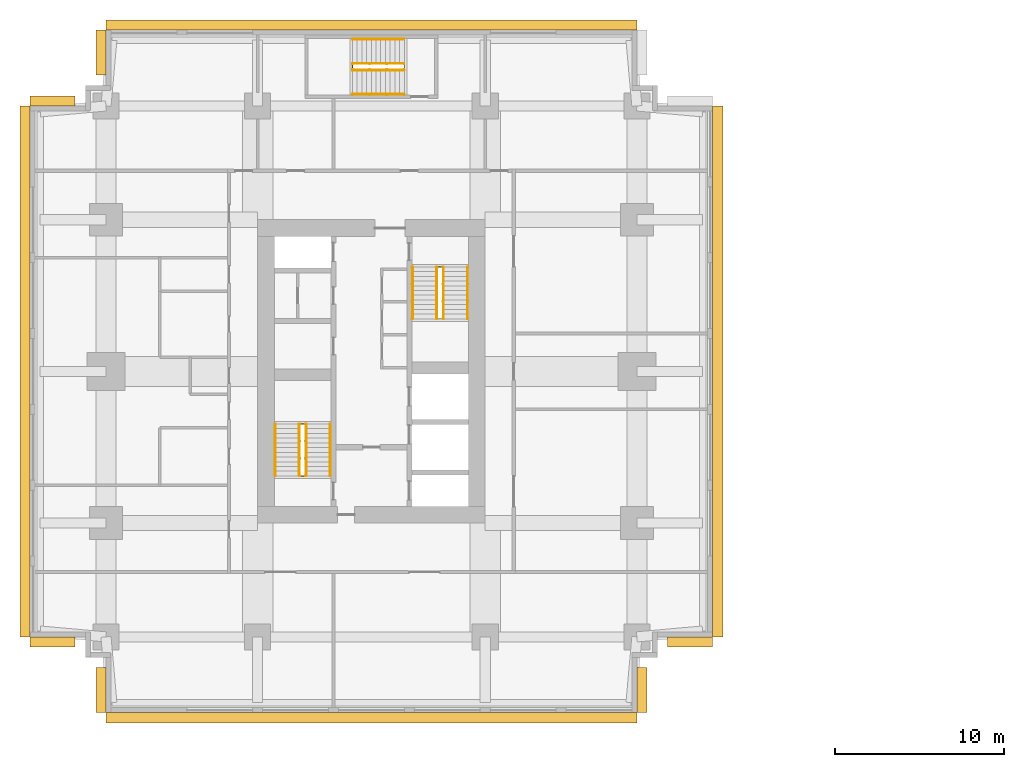
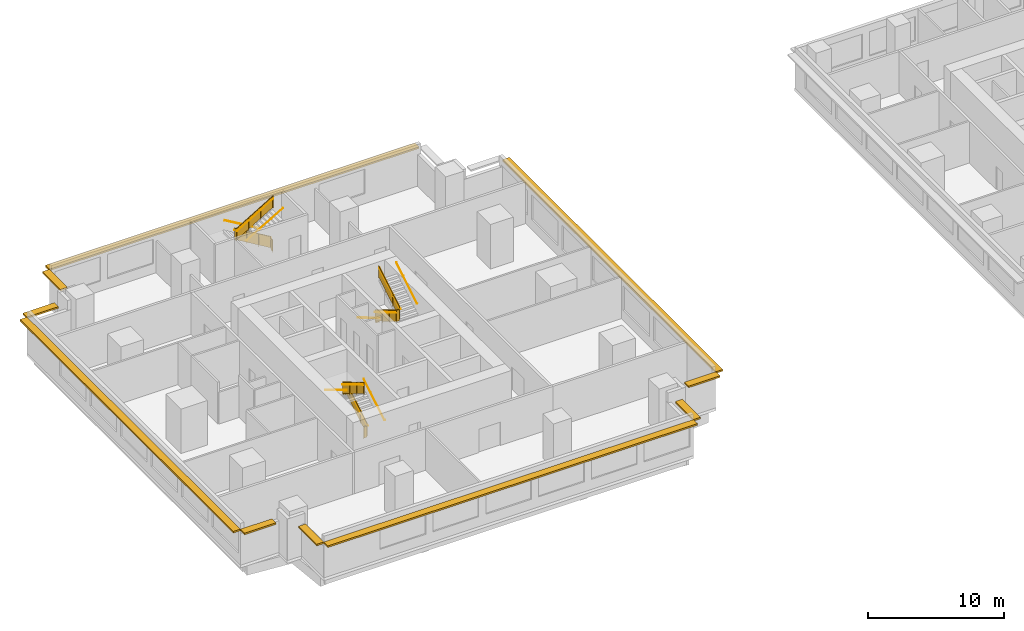
# One storey, part 10 of 11: 15 railings, 10 shading devices.
"""IFC4 building model written with IfcOpenShell, lengths in metres."""

from ifc_helpers import new_model, si_unit, direction, frame, origin, origin_2d, place, context, subcontext, project, spatial, polyline, rectangle, circle, outline, extrude, material, layer, layer_set, type_object, element, save


model = new_model("IFC4")

# Units and contexts
model_context = context("Model", 3, precision=1e-05, world=origin(), true_north=direction((0.0, 1.0)))
body_context = subcontext(model_context, "Body", "Model", "MODEL_VIEW")
ifc_project = project(units=[si_unit("LENGTHUNIT", "METRE"), si_unit("AREAUNIT", "SQUARE_METRE"), si_unit("VOLUMEUNIT", "CUBIC_METRE"), si_unit("PLANEANGLEUNIT", "RADIAN"), si_unit("MASSUNIT", "GRAM", prefix="KILO")], contexts=[model_context])

# Site, building, storey
site_placement = place(None, origin())
site = spatial("IfcSite", under=ifc_project, at=site_placement, CompositionType="ELEMENT")
building_placement = place(site_placement, origin())
building = spatial("IfcBuilding", under=site, at=building_placement, Name="Namib Vertical Campus", CompositionType="ELEMENT")
storey_placement = place(building_placement, frame((0.0, 0.0, 217.0)))
storey = spatial("IfcBuildingStorey", under=building, at=storey_placement, Name="L51", CompositionType="ELEMENT", Elevation=217.0)

# Railings
ifc_material_1 = material(Name="Steel handrail", Category="steel")
railing_type_1 = type_object("IfcRailingType", Name="Handrail 900", PredefinedType="HANDRAIL", material=ifc_material_1)
railing_1_placement = place(storey_placement, frame((17.800048828125, 14.050048828125, 0.166748046875)))
element("IfcRailing", 1, at=railing_1_placement, inside=storey, type_object=railing_type_1, Name="Handrail HR1 A-S1 L51 1", PredefinedType="HANDRAIL", context=body_context, shape_type="SweptSolid", body=[
    extrude(circle(Radius=0.02392578125, at=origin_2d()), frame((0.0, 0.0, 0.8759765625), z_axis=(0.0, 0.859290745958, 0.51148745235), x_axis=(-1.0, 0.0, 0.0)), (0.0, 0.0, 1.0), 3.584228515625),
    extrude(circle(Radius=0.008056640625, at=origin_2d()), frame((0.0, 0.0, 0.8759765625), z_axis=(1.0, 0.0, 0.0), x_axis=(0.0, 0.0, 1.0)), (0.0, 0.0, 1.0), 0.050048828125),
    extrude(circle(Radius=0.008056640625, at=origin_2d()), frame((0.0, 1.026611328125, 1.48681640625), z_axis=(1.0, 0.0, 0.0), x_axis=(0.0, 0.0, 1.0)), (0.0, 0.0, 1.0), 0.050048828125),
    extrude(circle(Radius=0.008056640625, at=origin_2d()), frame((0.0, 2.05322265625, 2.09814453125), z_axis=(1.0, 0.0, 0.0), x_axis=(0.0, 0.0, 1.0)), (0.0, 0.0, 1.0), 0.050048828125),
    extrude(circle(Radius=0.008056640625, at=origin_2d()), frame((0.0, 3.079833984375, 2.708984375), z_axis=(1.0, 0.0, 0.0), x_axis=(0.0, 0.0, 1.0)), (0.0, 0.0, 1.0), 0.050048828125),
])
railing_2_placement = place(storey_placement, frame((14.550048828125, 17.1298828125, 2.166748046875)))
element("IfcRailing", 2, at=railing_2_placement, inside=storey, type_object=railing_type_1, Name="Handrail HR1 A-S1 L51 2", PredefinedType="HANDRAIL", context=body_context, shape_type="SweptSolid", body=[
    extrude(circle(Radius=0.02392578125, at=origin_2d()), frame((0.0, 0.0, 0.8759765625), z_axis=(0.0, -0.859290745958, 0.51148745235), x_axis=(1.0, 0.0, 0.0)), (0.0, 0.0, 1.0), 3.584228515625),
    extrude(circle(Radius=0.008056640625, at=origin_2d()), frame((0.0, 0.0, 0.8759765625), z_axis=(-1.0, 0.0, 0.0), x_axis=(0.0, 0.0, 1.0)), (0.0, 0.0, 1.0), 0.050048828125),
    extrude(circle(Radius=0.008056640625, at=origin_2d()), frame((0.0, -1.026611328125, 1.48681640625), z_axis=(-1.0, 0.0, 0.0), x_axis=(0.0, 0.0, 1.0)), (0.0, 0.0, 1.0), 0.050048828125),
    extrude(circle(Radius=0.008056640625, at=origin_2d()), frame((0.0, -2.05322265625, 2.09814453125), z_axis=(-1.0, 0.0, 0.0), x_axis=(0.0, 0.0, 1.0)), (0.0, 0.0, 1.0), 0.050048828125),
    extrude(circle(Radius=0.008056640625, at=origin_2d()), frame((0.0, -3.079833984375, 2.708984375), z_axis=(-1.0, 0.0, 0.0), x_axis=(0.0, 0.0, 1.0)), (0.0, 0.0, 1.0), 0.050048828125),
])
railing_3_placement = place(storey_placement, frame((16.375, 14.050048828125, 0.166748046875)))
element("IfcRailing", 3, at=railing_3_placement, inside=storey, type_object=railing_type_1, Name="Handrail HR1 A-S1 L51 1 at the well", PredefinedType="HANDRAIL", context=body_context, shape_type="SweptSolid", body=[
    extrude(circle(Radius=0.02392578125, at=origin_2d()), frame((0.0, 0.0, 0.8759765625), z_axis=(0.0, 0.859290745958, 0.51148745235), x_axis=(-1.0, 0.0, 0.0)), (0.0, 0.0, 1.0), 3.584228515625),
    extrude(circle(Radius=0.008056640625, at=origin_2d()), frame((0.0, 0.0, 0.8759765625), z_axis=(-1.0, 0.0, 0.0), x_axis=(0.0, 0.0, 1.0)), (0.0, 0.0, 1.0), 0.0400390625),
    extrude(circle(Radius=0.008056640625, at=origin_2d()), frame((0.0, 1.026611328125, 1.48681640625), z_axis=(-1.0, 0.0, 0.0), x_axis=(0.0, 0.0, 1.0)), (0.0, 0.0, 1.0), 0.0400390625),
    extrude(circle(Radius=0.008056640625, at=origin_2d()), frame((0.0, 2.05322265625, 2.09814453125), z_axis=(-1.0, 0.0, 0.0), x_axis=(0.0, 0.0, 1.0)), (0.0, 0.0, 1.0), 0.0400390625),
    extrude(circle(Radius=0.008056640625, at=origin_2d()), frame((0.0, 3.079833984375, 2.708984375), z_axis=(-1.0, 0.0, 0.0), x_axis=(0.0, 0.0, 1.0)), (0.0, 0.0, 1.0), 0.0400390625),
])
railing_4_placement = place(storey_placement, frame((15.97509765625, 17.1298828125, 2.166748046875)))
element("IfcRailing", 4, at=railing_4_placement, inside=storey, type_object=railing_type_1, Name="Handrail HR1 A-S1 L51 2 at the well", PredefinedType="HANDRAIL", context=body_context, shape_type="SweptSolid", body=[
    extrude(circle(Radius=0.02392578125, at=origin_2d()), frame((0.0, 0.0, 0.8759765625), z_axis=(0.0, -0.859290745958, 0.51148745235), x_axis=(1.0, 0.0, 0.0)), (0.0, 0.0, 1.0), 3.584228515625),
    extrude(circle(Radius=0.008056640625, at=origin_2d()), frame((0.0, 0.0, 0.8759765625), z_axis=(1.0, 0.0, 0.0), x_axis=(0.0, 0.0, 1.0)), (0.0, 0.0, 1.0), 0.0400390625),
    extrude(circle(Radius=0.008056640625, at=origin_2d()), frame((0.0, -1.026611328125, 1.48681640625), z_axis=(1.0, 0.0, 0.0), x_axis=(0.0, 0.0, 1.0)), (0.0, 0.0, 1.0), 0.0400390625),
    extrude(circle(Radius=0.008056640625, at=origin_2d()), frame((0.0, -2.05322265625, 2.09814453125), z_axis=(1.0, 0.0, 0.0), x_axis=(0.0, 0.0, 1.0)), (0.0, 0.0, 1.0), 0.0400390625),
    extrude(circle(Radius=0.008056640625, at=origin_2d()), frame((0.0, -3.079833984375, 2.708984375), z_axis=(1.0, 0.0, 0.0), x_axis=(0.0, 0.0, 1.0)), (0.0, 0.0, 1.0), 0.0400390625),
])
railing_5_placement = place(storey_placement, frame((22.699951171875, 26.449951171875, 0.166748046875)))
element("IfcRailing", 5, at=railing_5_placement, inside=storey, type_object=railing_type_1, Name="Handrail HR1 A-S2 L51 1", PredefinedType="HANDRAIL", context=body_context, shape_type="SweptSolid", body=[
    extrude(circle(Radius=0.02392578125, at=origin_2d()), frame((0.0, 0.0, 0.8759765625), z_axis=(0.0, -0.859290745958, 0.51148745235), x_axis=(1.0, 0.0, 0.0)), (0.0, 0.0, 1.0), 3.584228515625),
    extrude(circle(Radius=0.008056640625, at=origin_2d()), frame((0.0, 0.0, 0.8759765625), z_axis=(-1.0, 0.0, 0.0), x_axis=(0.0, 0.0, 1.0)), (0.0, 0.0, 1.0), 0.050048828125),
    extrude(circle(Radius=0.008056640625, at=origin_2d()), frame((0.0, -1.026611328125, 1.48681640625), z_axis=(-1.0, 0.0, 0.0), x_axis=(0.0, 0.0, 1.0)), (0.0, 0.0, 1.0), 0.050048828125),
    extrude(circle(Radius=0.008056640625, at=origin_2d()), frame((0.0, -2.05322265625, 2.09814453125), z_axis=(-1.0, 0.0, 0.0), x_axis=(0.0, 0.0, 1.0)), (0.0, 0.0, 1.0), 0.050048828125),
    extrude(circle(Radius=0.008056640625, at=origin_2d()), frame((0.0, -3.079833984375, 2.708984375), z_axis=(-1.0, 0.0, 0.0), x_axis=(0.0, 0.0, 1.0)), (0.0, 0.0, 1.0), 0.050048828125),
])
railing_6_placement = place(storey_placement, frame((25.949951171875, 23.3701171875, 2.166748046875)))
element("IfcRailing", 6, at=railing_6_placement, inside=storey, type_object=railing_type_1, Name="Handrail HR1 A-S2 L51 2", PredefinedType="HANDRAIL", context=body_context, shape_type="SweptSolid", body=[
    extrude(circle(Radius=0.02392578125, at=origin_2d()), frame((0.0, 0.0, 0.8759765625), z_axis=(0.0, 0.859290745958, 0.51148745235), x_axis=(-1.0, 0.0, 0.0)), (0.0, 0.0, 1.0), 3.584228515625),
    extrude(circle(Radius=0.008056640625, at=origin_2d()), frame((0.0, 0.0, 0.8759765625), z_axis=(1.0, 0.0, 0.0), x_axis=(0.0, 0.0, 1.0)), (0.0, 0.0, 1.0), 0.050048828125),
    extrude(circle(Radius=0.008056640625, at=origin_2d()), frame((0.0, 1.026611328125, 1.48681640625), z_axis=(1.0, 0.0, 0.0), x_axis=(0.0, 0.0, 1.0)), (0.0, 0.0, 1.0), 0.050048828125),
    extrude(circle(Radius=0.008056640625, at=origin_2d()), frame((0.0, 2.05322265625, 2.09814453125), z_axis=(1.0, 0.0, 0.0), x_axis=(0.0, 0.0, 1.0)), (0.0, 0.0, 1.0), 0.050048828125),
    extrude(circle(Radius=0.008056640625, at=origin_2d()), frame((0.0, 3.079833984375, 2.708984375), z_axis=(1.0, 0.0, 0.0), x_axis=(0.0, 0.0, 1.0)), (0.0, 0.0, 1.0), 0.050048828125),
])
railing_7_placement = place(storey_placement, frame((24.125, 26.449951171875, 0.166748046875)))
element("IfcRailing", 7, at=railing_7_placement, inside=storey, type_object=railing_type_1, Name="Handrail HR1 A-S2 L51 1 at the well", PredefinedType="HANDRAIL", context=body_context, shape_type="SweptSolid", body=[
    extrude(circle(Radius=0.02392578125, at=origin_2d()), frame((0.0, 0.0, 0.8759765625), z_axis=(0.0, -0.859290745958, 0.51148745235), x_axis=(1.0, 0.0, 0.0)), (0.0, 0.0, 1.0), 3.584228515625),
    extrude(circle(Radius=0.008056640625, at=origin_2d()), frame((0.0, 0.0, 0.8759765625), z_axis=(1.0, 0.0, 0.0), x_axis=(0.0, 0.0, 1.0)), (0.0, 0.0, 1.0), 0.0400390625),
    extrude(circle(Radius=0.008056640625, at=origin_2d()), frame((0.0, -1.026611328125, 1.48681640625), z_axis=(1.0, 0.0, 0.0), x_axis=(0.0, 0.0, 1.0)), (0.0, 0.0, 1.0), 0.0400390625),
    extrude(circle(Radius=0.008056640625, at=origin_2d()), frame((0.0, -2.05322265625, 2.09814453125), z_axis=(1.0, 0.0, 0.0), x_axis=(0.0, 0.0, 1.0)), (0.0, 0.0, 1.0), 0.0400390625),
    extrude(circle(Radius=0.008056640625, at=origin_2d()), frame((0.0, -3.079833984375, 2.708984375), z_axis=(1.0, 0.0, 0.0), x_axis=(0.0, 0.0, 1.0)), (0.0, 0.0, 1.0), 0.0400390625),
])
railing_8_placement = place(storey_placement, frame((24.52490234375, 23.3701171875, 2.166748046875)))
element("IfcRailing", 8, at=railing_8_placement, inside=storey, type_object=railing_type_1, Name="Handrail HR1 A-S2 L51 2 at the well", PredefinedType="HANDRAIL", context=body_context, shape_type="SweptSolid", body=[
    extrude(circle(Radius=0.02392578125, at=origin_2d()), frame((0.0, 0.0, 0.8759765625), z_axis=(0.0, 0.859290745958, 0.51148745235), x_axis=(-1.0, 0.0, 0.0)), (0.0, 0.0, 1.0), 3.584228515625),
    extrude(circle(Radius=0.008056640625, at=origin_2d()), frame((0.0, 0.0, 0.8759765625), z_axis=(-1.0, 0.0, 0.0), x_axis=(0.0, 0.0, 1.0)), (0.0, 0.0, 1.0), 0.0400390625),
    extrude(circle(Radius=0.008056640625, at=origin_2d()), frame((0.0, 1.026611328125, 1.48681640625), z_axis=(-1.0, 0.0, 0.0), x_axis=(0.0, 0.0, 1.0)), (0.0, 0.0, 1.0), 0.0400390625),
    extrude(circle(Radius=0.008056640625, at=origin_2d()), frame((0.0, 2.05322265625, 2.09814453125), z_axis=(-1.0, 0.0, 0.0), x_axis=(0.0, 0.0, 1.0)), (0.0, 0.0, 1.0), 0.0400390625),
    extrude(circle(Radius=0.008056640625, at=origin_2d()), frame((0.0, 3.079833984375, 2.708984375), z_axis=(-1.0, 0.0, 0.0), x_axis=(0.0, 0.0, 1.0)), (0.0, 0.0, 1.0), 0.0400390625),
])
railing_9_placement = place(storey_placement, frame((22.199951171875, 39.949951171875, 0.166748046875)))
element("IfcRailing", 9, at=railing_9_placement, inside=storey, type_object=railing_type_1, Name="Handrail HR1 A-S3 L51 1", PredefinedType="HANDRAIL", context=body_context, shape_type="SweptSolid", body=[
    extrude(circle(Radius=0.02392578125, at=origin_2d()), frame((0.0, 0.0, 0.8759765625), z_axis=(-0.859290745958, 0.0, 0.51148745235), x_axis=(0.0, -1.0, 0.0)), (0.0, 0.0, 1.0), 3.584228515625),
    extrude(circle(Radius=0.008056640625, at=origin_2d()), frame((0.0, 0.0, 0.8759765625), z_axis=(0.0, 1.0, 0.0), x_axis=(0.0, 0.0, 1.0)), (0.0, 0.0, 1.0), 0.050048828125),
    extrude(circle(Radius=0.008056640625, at=origin_2d()), frame((-1.026611328125, 0.0, 1.48681640625), z_axis=(0.0, 1.0, 0.0), x_axis=(0.0, 0.0, 1.0)), (0.0, 0.0, 1.0), 0.050048828125),
    extrude(circle(Radius=0.008056640625, at=origin_2d()), frame((-2.05322265625, 0.0, 2.09814453125), z_axis=(0.0, 1.0, 0.0), x_axis=(0.0, 0.0, 1.0)), (0.0, 0.0, 1.0), 0.050048828125),
    extrude(circle(Radius=0.008056640625, at=origin_2d()), frame((-3.079833984375, 0.0, 2.708984375), z_axis=(0.0, 1.0, 0.0), x_axis=(0.0, 0.0, 1.0)), (0.0, 0.0, 1.0), 0.050048828125),
])
railing_10_placement = place(storey_placement, frame((19.1201171875, 36.699951171875, 2.166748046875)))
element("IfcRailing", 10, at=railing_10_placement, inside=storey, type_object=railing_type_1, Name="Handrail HR1 A-S3 L51 2", PredefinedType="HANDRAIL", context=body_context, shape_type="SweptSolid", body=[
    extrude(circle(Radius=0.02392578125, at=origin_2d()), frame((0.0, 0.0, 0.8759765625), z_axis=(0.859290745958, 0.0, 0.51148745235), x_axis=(0.0, 1.0, 0.0)), (0.0, 0.0, 1.0), 3.584228515625),
    extrude(circle(Radius=0.008056640625, at=origin_2d()), frame((0.0, 0.0, 0.8759765625), z_axis=(0.0, -1.0, 0.0), x_axis=(0.0, 0.0, 1.0)), (0.0, 0.0, 1.0), 0.050048828125),
    extrude(circle(Radius=0.008056640625, at=origin_2d()), frame((1.026611328125, 0.0, 1.48681640625), z_axis=(0.0, -1.0, 0.0), x_axis=(0.0, 0.0, 1.0)), (0.0, 0.0, 1.0), 0.050048828125),
    extrude(circle(Radius=0.008056640625, at=origin_2d()), frame((2.05322265625, 0.0, 2.09814453125), z_axis=(0.0, -1.0, 0.0), x_axis=(0.0, 0.0, 1.0)), (0.0, 0.0, 1.0), 0.050048828125),
    extrude(circle(Radius=0.008056640625, at=origin_2d()), frame((3.079833984375, 0.0, 2.708984375), z_axis=(0.0, -1.0, 0.0), x_axis=(0.0, 0.0, 1.0)), (0.0, 0.0, 1.0), 0.050048828125),
])
railing_11_placement = place(storey_placement, frame((22.199951171875, 38.52490234375, 0.166748046875)))
element("IfcRailing", 11, at=railing_11_placement, inside=storey, type_object=railing_type_1, Name="Handrail HR1 A-S3 L51 1 at the well", PredefinedType="HANDRAIL", context=body_context, shape_type="SweptSolid", body=[
    extrude(circle(Radius=0.02392578125, at=origin_2d()), frame((0.0, 0.0, 0.8759765625), z_axis=(-0.859290745958, 0.0, 0.51148745235), x_axis=(0.0, -1.0, 0.0)), (0.0, 0.0, 1.0), 3.584228515625),
    extrude(circle(Radius=0.008056640625, at=origin_2d()), frame((0.0, 0.0, 0.8759765625), z_axis=(0.0, -1.0, 0.0), x_axis=(0.0, 0.0, 1.0)), (0.0, 0.0, 1.0), 0.0400390625),
    extrude(circle(Radius=0.008056640625, at=origin_2d()), frame((-1.026611328125, 0.0, 1.48681640625), z_axis=(0.0, -1.0, 0.0), x_axis=(0.0, 0.0, 1.0)), (0.0, 0.0, 1.0), 0.0400390625),
    extrude(circle(Radius=0.008056640625, at=origin_2d()), frame((-2.05322265625, 0.0, 2.09814453125), z_axis=(0.0, -1.0, 0.0), x_axis=(0.0, 0.0, 1.0)), (0.0, 0.0, 1.0), 0.0400390625),
    extrude(circle(Radius=0.008056640625, at=origin_2d()), frame((-3.079833984375, 0.0, 2.708984375), z_axis=(0.0, -1.0, 0.0), x_axis=(0.0, 0.0, 1.0)), (0.0, 0.0, 1.0), 0.0400390625),
])
railing_12_placement = place(storey_placement, frame((19.1201171875, 38.125, 2.166748046875)))
element("IfcRailing", 12, at=railing_12_placement, inside=storey, type_object=railing_type_1, Name="Handrail HR1 A-S3 L51 2 at the well", PredefinedType="HANDRAIL", context=body_context, shape_type="SweptSolid", body=[
    extrude(circle(Radius=0.02392578125, at=origin_2d()), frame((0.0, 0.0, 0.8759765625), z_axis=(0.859290745958, 0.0, 0.51148745235), x_axis=(0.0, 1.0, 0.0)), (0.0, 0.0, 1.0), 3.584228515625),
    extrude(circle(Radius=0.008056640625, at=origin_2d()), frame((0.0, 0.0, 0.8759765625), z_axis=(0.0, 1.0, 0.0), x_axis=(0.0, 0.0, 1.0)), (0.0, 0.0, 1.0), 0.0400390625),
    extrude(circle(Radius=0.008056640625, at=origin_2d()), frame((1.026611328125, 0.0, 1.48681640625), z_axis=(0.0, 1.0, 0.0), x_axis=(0.0, 0.0, 1.0)), (0.0, 0.0, 1.0), 0.0400390625),
    extrude(circle(Radius=0.008056640625, at=origin_2d()), frame((2.05322265625, 0.0, 2.09814453125), z_axis=(0.0, 1.0, 0.0), x_axis=(0.0, 0.0, 1.0)), (0.0, 0.0, 1.0), 0.0400390625),
    extrude(circle(Radius=0.008056640625, at=origin_2d()), frame((3.079833984375, 0.0, 2.708984375), z_axis=(0.0, 1.0, 0.0), x_axis=(0.0, 0.0, 1.0)), (0.0, 0.0, 1.0), 0.0400390625),
])
ifc_material_2 = material(Name="Steel balustrade", Category="steel")
railing_type_2 = type_object("IfcRailingType", Name="Stair guard 1100", PredefinedType="GUARDRAIL", material=ifc_material_2)
railing_13_placement = place(storey_placement, frame((16.02490234375, 14.050048828125, 0.0)))
element("IfcRailing", 13, at=railing_13_placement, inside=storey, type_object=railing_type_2, Name="Stair guard GR1 A-S1 L51", PredefinedType="GUARDRAIL", context=body_context, shape_type="SweptSolid", body=[
    extrude(circle(Radius=0.02392578125, at=origin_2d()), frame((0.0, 0.0, 1.076171875), z_axis=(1.0, 0.0, 0.0), x_axis=(0.0, 1.0, 0.0)), (0.0, 0.0, 1.0), 0.300048828125),
    extrude(outline(polyline([(0.02099609375, 0.050048828125), (0.279052734375, 0.050048828125), (0.279052734375, 1.052001953125), (0.02099609375, 1.052001953125), (0.02099609375, 0.050048828125)])), frame((0.0, 0.010009765625, 0.0), z_axis=(0.0, -1.0, 0.0), x_axis=(1.0, 0.0, 0.0)), (0.0, 0.0, 1.0), 0.02001953125),
    extrude(circle(Radius=0.02392578125, at=origin_2d()), frame((0.300048828125, 0.0, 1.076171875), z_axis=(0.0, 0.0, 1.0), x_axis=(1.0, 0.0, 0.0)), (0.0, 0.0, 1.0), 0.166748046875),
    extrude(circle(Radius=0.02392578125, at=origin_2d()), frame((0.300048828125, 0.0, 1.24267578125), z_axis=(0.0, 0.859290745958, 0.51148745235), x_axis=(-1.0, 0.0, 0.0)), (0.0, 0.0, 1.0), 3.584228515625),
    extrude(outline(polyline([(0.02099609375, 0.0625), (3.058837890625, 1.870849609375), (3.058837890625, 2.872802734375), (0.02099609375, 1.064453125), (0.02099609375, 0.0625)])), frame((0.2900390625, 0.0, 0.166748046875), z_axis=(1.0, 0.0, 0.0), x_axis=(0.0, 1.0, 0.0)), (0.0, 0.0, 1.0), 0.02001953125),
    extrude(circle(Radius=0.02392578125, at=origin_2d()), frame((0.300048828125, 3.079833984375, 3.076171875), z_axis=(-1.0, 0.0, 0.0), x_axis=(0.0, -1.0, 0.0)), (0.0, 0.0, 1.0), 0.300048828125),
    extrude(outline(polyline([(0.02099609375, 0.050048828125), (0.279052734375, 0.050048828125), (0.279052734375, 1.052001953125), (0.02099609375, 1.052001953125), (0.02099609375, 0.050048828125)])), frame((0.300048828125, 3.06982421875, 2.0), z_axis=(0.0, 1.0, 0.0), x_axis=(-1.0, 0.0, 0.0)), (0.0, 0.0, 1.0), 0.02001953125),
    extrude(circle(Radius=0.02392578125, at=origin_2d()), frame((0.0, 3.079833984375, 3.076171875), z_axis=(0.0, 0.0, 1.0), x_axis=(1.0, 0.0, 0.0)), (0.0, 0.0, 1.0), 0.166748046875),
    extrude(circle(Radius=0.02392578125, at=origin_2d()), frame((0.0, 3.079833984375, 3.24267578125), z_axis=(0.0, -0.859290745958, 0.51148745235), x_axis=(1.0, 0.0, 0.0)), (0.0, 0.0, 1.0), 3.584228515625),
    extrude(outline(polyline([(0.02099609375, 0.0625), (3.058837890625, 1.870849609375), (3.058837890625, 2.872802734375), (0.02099609375, 1.064453125), (0.02099609375, 0.0625)])), frame((0.010009765625, 3.079833984375, 2.166748046875), z_axis=(-1.0, 0.0, 0.0), x_axis=(0.0, -1.0, 0.0)), (0.0, 0.0, 1.0), 0.02001953125),
    extrude(circle(Radius=0.02392578125, at=origin_2d()), frame((0.0, 0.0, 5.076171875), z_axis=(0.0, -1.0, 0.0), x_axis=(1.0, 0.0, 0.0)), (0.0, 0.0, 1.0), 0.050048828125),
    extrude(outline(polyline([(0.02099609375, 0.050048828125), (0.029052734375, 0.050048828125), (0.029052734375, 1.052001953125), (0.02099609375, 1.052001953125), (0.02099609375, 0.050048828125)])), frame((0.010009765625, 0.0, 4.0), z_axis=(-1.0, 0.0, 0.0), x_axis=(0.0, -1.0, 0.0)), (0.0, 0.0, 1.0), 0.02001953125),
    extrude(circle(Radius=0.02099609375, at=origin_2d()), origin(), (0.0, 0.0, 1.0), 1.052001953125),
    extrude(circle(Radius=0.02099609375, at=origin_2d()), frame((0.300048828125, 0.0, 0.166748046875)), (0.0, 0.0, 1.0), 1.052001953125),
    extrude(circle(Radius=0.02099609375, at=origin_2d()), frame((0.300048828125, 1.026611328125, 0.666748046875)), (0.0, 0.0, 1.0), 1.1630859375),
    extrude(circle(Radius=0.02099609375, at=origin_2d()), frame((0.300048828125, 2.05322265625, 1.33349609375)), (0.0, 0.0, 1.0), 1.107421875),
    extrude(circle(Radius=0.02099609375, at=origin_2d()), frame((0.300048828125, 3.079833984375, 2.0)), (0.0, 0.0, 1.0), 1.052001953125),
    extrude(circle(Radius=0.02099609375, at=origin_2d()), frame((0.0, 3.079833984375, 2.166748046875)), (0.0, 0.0, 1.0), 1.052001953125),
    extrude(circle(Radius=0.02099609375, at=origin_2d()), frame((0.0, 2.05322265625, 2.666748046875)), (0.0, 0.0, 1.0), 1.1630859375),
    extrude(circle(Radius=0.02099609375, at=origin_2d()), frame((0.0, 1.026611328125, 3.33349609375)), (0.0, 0.0, 1.0), 1.107421875),
    extrude(circle(Radius=0.02099609375, at=origin_2d()), frame((0.0, 0.0, 4.0)), (0.0, 0.0, 1.0), 1.052001953125),
    extrude(circle(Radius=0.02099609375, at=origin_2d()), frame((0.0, -0.050048828125, 4.0)), (0.0, 0.0, 1.0), 1.052001953125),
])
railing_14_placement = place(storey_placement, frame((24.47509765625, 26.449951171875, 0.0)))
element("IfcRailing", 14, at=railing_14_placement, inside=storey, type_object=railing_type_2, Name="Stair guard GR1 A-S2 L51", PredefinedType="GUARDRAIL", context=body_context, shape_type="SweptSolid", body=[
    extrude(circle(Radius=0.02392578125, at=origin_2d()), frame((0.0, 0.0, 1.076171875), z_axis=(-1.0, 0.0, 0.0), x_axis=(0.0, -1.0, 0.0)), (0.0, 0.0, 1.0), 0.300048828125),
    extrude(outline(polyline([(0.02099609375, 0.050048828125), (0.279052734375, 0.050048828125), (0.279052734375, 1.052001953125), (0.02099609375, 1.052001953125), (0.02099609375, 0.050048828125)])), frame((0.0, -0.010009765625, 0.0), z_axis=(0.0, 1.0, 0.0), x_axis=(-1.0, 0.0, 0.0)), (0.0, 0.0, 1.0), 0.02001953125),
    extrude(circle(Radius=0.02392578125, at=origin_2d()), frame((-0.300048828125, 0.0, 1.076171875), z_axis=(0.0, 0.0, 1.0), x_axis=(1.0, 0.0, 0.0)), (0.0, 0.0, 1.0), 0.166748046875),
    extrude(circle(Radius=0.02392578125, at=origin_2d()), frame((-0.300048828125, 0.0, 1.24267578125), z_axis=(0.0, -0.859290745958, 0.51148745235), x_axis=(1.0, 0.0, 0.0)), (0.0, 0.0, 1.0), 3.584228515625),
    extrude(outline(polyline([(0.02099609375, 0.0625), (3.058837890625, 1.870849609375), (3.058837890625, 2.872802734375), (0.02099609375, 1.064453125), (0.02099609375, 0.0625)])), frame((-0.2900390625, 0.0, 0.166748046875), z_axis=(-1.0, 0.0, 0.0), x_axis=(0.0, -1.0, 0.0)), (0.0, 0.0, 1.0), 0.02001953125),
    extrude(circle(Radius=0.02392578125, at=origin_2d()), frame((-0.300048828125, -3.079833984375, 3.076171875), z_axis=(1.0, 0.0, 0.0), x_axis=(0.0, 1.0, 0.0)), (0.0, 0.0, 1.0), 0.300048828125),
    extrude(outline(polyline([(0.02099609375, 0.050048828125), (0.279052734375, 0.050048828125), (0.279052734375, 1.052001953125), (0.02099609375, 1.052001953125), (0.02099609375, 0.050048828125)])), frame((-0.300048828125, -3.06982421875, 2.0), z_axis=(0.0, -1.0, 0.0), x_axis=(1.0, 0.0, 0.0)), (0.0, 0.0, 1.0), 0.02001953125),
    extrude(circle(Radius=0.02392578125, at=origin_2d()), frame((0.0, -3.079833984375, 3.076171875), z_axis=(0.0, 0.0, 1.0), x_axis=(1.0, 0.0, 0.0)), (0.0, 0.0, 1.0), 0.166748046875),
    extrude(circle(Radius=0.02392578125, at=origin_2d()), frame((0.0, -3.079833984375, 3.24267578125), z_axis=(0.0, 0.859290745958, 0.51148745235), x_axis=(-1.0, 0.0, 0.0)), (0.0, 0.0, 1.0), 3.584228515625),
    extrude(outline(polyline([(0.02099609375, 0.0625), (3.058837890625, 1.870849609375), (3.058837890625, 2.872802734375), (0.02099609375, 1.064453125), (0.02099609375, 0.0625)])), frame((-0.010009765625, -3.079833984375, 2.166748046875), z_axis=(1.0, 0.0, 0.0), x_axis=(0.0, 1.0, 0.0)), (0.0, 0.0, 1.0), 0.02001953125),
    extrude(circle(Radius=0.02392578125, at=origin_2d()), frame((0.0, 0.0, 5.076171875), z_axis=(0.0, 1.0, 0.0), x_axis=(-1.0, 0.0, 0.0)), (0.0, 0.0, 1.0), 0.050048828125),
    extrude(outline(polyline([(0.02099609375, 0.050048828125), (0.029052734375, 0.050048828125), (0.029052734375, 1.052001953125), (0.02099609375, 1.052001953125), (0.02099609375, 0.050048828125)])), frame((-0.010009765625, 0.0, 4.0), z_axis=(1.0, 0.0, 0.0), x_axis=(0.0, 1.0, 0.0)), (0.0, 0.0, 1.0), 0.02001953125),
    extrude(circle(Radius=0.02099609375, at=origin_2d()), origin(), (0.0, 0.0, 1.0), 1.052001953125),
    extrude(circle(Radius=0.02099609375, at=origin_2d()), frame((-0.300048828125, 0.0, 0.166748046875)), (0.0, 0.0, 1.0), 1.052001953125),
    extrude(circle(Radius=0.02099609375, at=origin_2d()), frame((-0.300048828125, -1.026611328125, 0.666748046875)), (0.0, 0.0, 1.0), 1.1630859375),
    extrude(circle(Radius=0.02099609375, at=origin_2d()), frame((-0.300048828125, -2.05322265625, 1.33349609375)), (0.0, 0.0, 1.0), 1.107421875),
    extrude(circle(Radius=0.02099609375, at=origin_2d()), frame((-0.300048828125, -3.079833984375, 2.0)), (0.0, 0.0, 1.0), 1.052001953125),
    extrude(circle(Radius=0.02099609375, at=origin_2d()), frame((0.0, -3.079833984375, 2.166748046875)), (0.0, 0.0, 1.0), 1.052001953125),
    extrude(circle(Radius=0.02099609375, at=origin_2d()), frame((0.0, -2.05322265625, 2.666748046875)), (0.0, 0.0, 1.0), 1.1630859375),
    extrude(circle(Radius=0.02099609375, at=origin_2d()), frame((0.0, -1.026611328125, 3.33349609375)), (0.0, 0.0, 1.0), 1.107421875),
    extrude(circle(Radius=0.02099609375, at=origin_2d()), frame((0.0, 0.0, 4.0)), (0.0, 0.0, 1.0), 1.052001953125),
    extrude(circle(Radius=0.02099609375, at=origin_2d()), frame((0.0, 0.050048828125, 4.0)), (0.0, 0.0, 1.0), 1.052001953125),
])
railing_15_placement = place(storey_placement, frame((22.199951171875, 38.175048828125, 0.0)))
element("IfcRailing", 15, at=railing_15_placement, inside=storey, type_object=railing_type_2, Name="Stair guard GR1 A-S3 L51", PredefinedType="GUARDRAIL", context=body_context, shape_type="SweptSolid", body=[
    extrude(circle(Radius=0.02392578125, at=origin_2d()), frame((0.0, 0.0, 1.076171875), z_axis=(0.0, 1.0, 0.0), x_axis=(-1.0, 0.0, 0.0)), (0.0, 0.0, 1.0), 0.300048828125),
    extrude(outline(polyline([(0.02099609375, 0.050048828125), (0.279052734375, 0.050048828125), (0.279052734375, 1.052001953125), (0.02099609375, 1.052001953125), (0.02099609375, 0.050048828125)])), frame((-0.010009765625, 0.0, 0.0), z_axis=(1.0, 0.0, 0.0), x_axis=(0.0, 1.0, 0.0)), (0.0, 0.0, 1.0), 0.02001953125),
    extrude(circle(Radius=0.02392578125, at=origin_2d()), frame((0.0, 0.300048828125, 1.076171875), z_axis=(0.0, 0.0, 1.0), x_axis=(1.0, 0.0, 0.0)), (0.0, 0.0, 1.0), 0.166748046875),
    extrude(circle(Radius=0.02392578125, at=origin_2d()), frame((0.0, 0.300048828125, 1.24267578125), z_axis=(-0.859290745958, 0.0, 0.51148745235), x_axis=(0.0, -1.0, 0.0)), (0.0, 0.0, 1.0), 3.584228515625),
    extrude(outline(polyline([(0.02099609375, 0.0625), (3.058837890625, 1.870849609375), (3.058837890625, 2.872802734375), (0.02099609375, 1.064453125), (0.02099609375, 0.0625)])), frame((0.0, 0.2900390625, 0.166748046875), z_axis=(0.0, 1.0, 0.0), x_axis=(-1.0, 0.0, 0.0)), (0.0, 0.0, 1.0), 0.02001953125),
    extrude(circle(Radius=0.02392578125, at=origin_2d()), frame((-3.079833984375, 0.300048828125, 3.076171875), z_axis=(0.0, -1.0, 0.0), x_axis=(1.0, 0.0, 0.0)), (0.0, 0.0, 1.0), 0.300048828125),
    extrude(outline(polyline([(0.02099609375, 0.050048828125), (0.279052734375, 0.050048828125), (0.279052734375, 1.052001953125), (0.02099609375, 1.052001953125), (0.02099609375, 0.050048828125)])), frame((-3.06982421875, 0.300048828125, 2.0), z_axis=(-1.0, 0.0, 0.0), x_axis=(0.0, -1.0, 0.0)), (0.0, 0.0, 1.0), 0.02001953125),
    extrude(circle(Radius=0.02392578125, at=origin_2d()), frame((-3.079833984375, 0.0, 3.076171875), z_axis=(0.0, 0.0, 1.0), x_axis=(1.0, 0.0, 0.0)), (0.0, 0.0, 1.0), 0.166748046875),
    extrude(circle(Radius=0.02392578125, at=origin_2d()), frame((-3.079833984375, 0.0, 3.24267578125), z_axis=(0.859290745958, 0.0, 0.51148745235), x_axis=(0.0, 1.0, 0.0)), (0.0, 0.0, 1.0), 3.584228515625),
    extrude(outline(polyline([(0.02099609375, 0.0625), (3.058837890625, 1.870849609375), (3.058837890625, 2.872802734375), (0.02099609375, 1.064453125), (0.02099609375, 0.0625)])), frame((-3.079833984375, 0.010009765625, 2.166748046875), z_axis=(0.0, -1.0, 0.0), x_axis=(1.0, 0.0, 0.0)), (0.0, 0.0, 1.0), 0.02001953125),
    extrude(circle(Radius=0.02392578125, at=origin_2d()), frame((0.0, 0.0, 5.076171875), z_axis=(1.0, 0.0, 0.0), x_axis=(0.0, 1.0, 0.0)), (0.0, 0.0, 1.0), 0.050048828125),
    extrude(outline(polyline([(0.02099609375, 0.050048828125), (0.029052734375, 0.050048828125), (0.029052734375, 1.052001953125), (0.02099609375, 1.052001953125), (0.02099609375, 0.050048828125)])), frame((0.0, 0.010009765625, 4.0), z_axis=(0.0, -1.0, 0.0), x_axis=(1.0, 0.0, 0.0)), (0.0, 0.0, 1.0), 0.02001953125),
    extrude(circle(Radius=0.02099609375, at=origin_2d()), origin(), (0.0, 0.0, 1.0), 1.052001953125),
    extrude(circle(Radius=0.02099609375, at=origin_2d()), frame((0.0, 0.300048828125, 0.166748046875)), (0.0, 0.0, 1.0), 1.052001953125),
    extrude(circle(Radius=0.02099609375, at=origin_2d()), frame((-1.026611328125, 0.300048828125, 0.666748046875)), (0.0, 0.0, 1.0), 1.1630859375),
    extrude(circle(Radius=0.02099609375, at=origin_2d()), frame((-2.05322265625, 0.300048828125, 1.33349609375)), (0.0, 0.0, 1.0), 1.107421875),
    extrude(circle(Radius=0.02099609375, at=origin_2d()), frame((-3.079833984375, 0.300048828125, 2.0)), (0.0, 0.0, 1.0), 1.052001953125),
    extrude(circle(Radius=0.02099609375, at=origin_2d()), frame((-3.079833984375, 0.0, 2.166748046875)), (0.0, 0.0, 1.0), 1.052001953125),
    extrude(circle(Radius=0.02099609375, at=origin_2d()), frame((-2.05322265625, 0.0, 2.666748046875)), (0.0, 0.0, 1.0), 1.1630859375),
    extrude(circle(Radius=0.02099609375, at=origin_2d()), frame((-1.026611328125, 0.0, 3.33349609375)), (0.0, 0.0, 1.0), 1.107421875),
    extrude(circle(Radius=0.02099609375, at=origin_2d()), frame((0.0, 0.0, 4.0)), (0.0, 0.0, 1.0), 1.052001953125),
    extrude(circle(Radius=0.02099609375, at=origin_2d()), frame((0.050048828125, 0.0, 4.0)), (0.0, 0.0, 1.0), 1.052001953125),
])

# Shading devices
ifc_material_3 = material(Name="Concrete C40/50 precast", Category="concrete")
ifc_layer = layer(ifc_material_3, 0.14990234375)
ifc_layer_set = layer_set([ifc_layer], Name="Concrete C40/50 precast")
shading_device_type = type_object("IfcShadingDeviceType", Name="Sunshade hood 600", PredefinedType="SHUTTER", material=ifc_layer_set)
shading_device_1_placement = place(storey_placement, frame((20.25, -0.300048828125, 3.10009765625), z_axis=(0.0, 0.0, 1.0), x_axis=(1.0, 0.0, 0.0)))
element("IfcShadingDevice", 16, at=shading_device_1_placement, inside=storey, type_object=shading_device_type, Name="Sunshade SH3 L51 1", PredefinedType="SHUTTER", context=body_context, shape_type="SweptSolid", body=[
    extrude(rectangle(XDim=31.5, YDim=0.60009765625, at=origin_2d()), origin(), (0.0, 0.0, 1.0), 0.14990234375),
])
for number, where, z_axis, x_axis, name in (
    (17, (36.300048828125, 1.33740234375, 3.10009765625), (0.0, 0.0, 1.0), (0.0, 1.0, 0.0), "Sunshade SH3 L51 2"),
    (18, (39.16259765625, 4.199951171875, 3.10009765625), (0.0, 0.0, 1.0), (1.0, 0.0, 0.0), "Sunshade SH3 L51 5"),
):
    element("IfcShadingDevice", number, at=place(storey_placement, frame(where, z_axis=z_axis, x_axis=x_axis)), inside=storey, type_object=shading_device_type, Name=name, PredefinedType="SHUTTER", context=body_context, shape_type="SweptSolid", body=[
        extrude(rectangle(XDim=2.675048828125, YDim=0.60009765625, at=origin_2d()), origin(), (0.0, 0.0, 1.0), 0.14990234375),
    ])
for number, where, z_axis, x_axis, name in (
    (19, (40.800048828125, 20.25, 3.10009765625), (0.0, 0.0, 1.0), (0.0, 1.0, 0.0), "Sunshade SH3 L51 6"),
    (20, (20.25, 40.800048828125, 3.10009765625), (0.0, 0.0, 1.0), (-1.0, 0.0, 0.0), "Sunshade SH3 L51 11"),
):
    element("IfcShadingDevice", number, at=place(storey_placement, frame(where, z_axis=z_axis, x_axis=x_axis)), inside=storey, type_object=shading_device_type, Name=name, PredefinedType="SHUTTER", context=body_context, shape_type="SweptSolid", body=[
        extrude(rectangle(XDim=31.5, YDim=0.60009765625, at=origin_2d()), origin(), (0.0, 0.0, 1.0), 0.14990234375),
    ])
for number, where, z_axis, x_axis, name in (
    (21, (4.199951171875, 39.16259765625, 3.10009765625), (0.0, 0.0, 1.0), (0.0, -1.0, 0.0), "Sunshade SH3 L51 12"),
    (22, (1.33740234375, 36.300048828125, 3.10009765625), (0.0, 0.0, 1.0), (-1.0, 0.0, 0.0), "Sunshade SH3 L51 15"),
):
    element("IfcShadingDevice", number, at=place(storey_placement, frame(where, z_axis=z_axis, x_axis=x_axis)), inside=storey, type_object=shading_device_type, Name=name, PredefinedType="SHUTTER", context=body_context, shape_type="SweptSolid", body=[
        extrude(rectangle(XDim=2.675048828125, YDim=0.60009765625, at=origin_2d()), origin(), (0.0, 0.0, 1.0), 0.14990234375),
    ])
shading_device_2_placement = place(storey_placement, frame((-0.300048828125, 20.25, 3.10009765625), z_axis=(0.0, 0.0, 1.0), x_axis=(0.0, -1.0, 0.0)))
element("IfcShadingDevice", 23, at=shading_device_2_placement, inside=storey, type_object=shading_device_type, Name="Sunshade SH3 L51 16", PredefinedType="SHUTTER", context=body_context, shape_type="SweptSolid", body=[
    extrude(rectangle(XDim=31.5, YDim=0.60009765625, at=origin_2d()), origin(), (0.0, 0.0, 1.0), 0.14990234375),
])
for number, where, z_axis, x_axis, name in (
    (24, (1.33740234375, 4.199951171875, 3.10009765625), (0.0, 0.0, 1.0), (1.0, 0.0, 0.0), "Sunshade SH3 L51 17"),
    (25, (4.199951171875, 1.33740234375, 3.10009765625), (0.0, 0.0, 1.0), (0.0, -1.0, 0.0), "Sunshade SH3 L51 20"),
):
    element("IfcShadingDevice", number, at=place(storey_placement, frame(where, z_axis=z_axis, x_axis=x_axis)), inside=storey, type_object=shading_device_type, Name=name, PredefinedType="SHUTTER", context=body_context, shape_type="SweptSolid", body=[
        extrude(rectangle(XDim=2.675048828125, YDim=0.60009765625, at=origin_2d()), origin(), (0.0, 0.0, 1.0), 0.14990234375),
    ])

save(model, "model.ifc")
